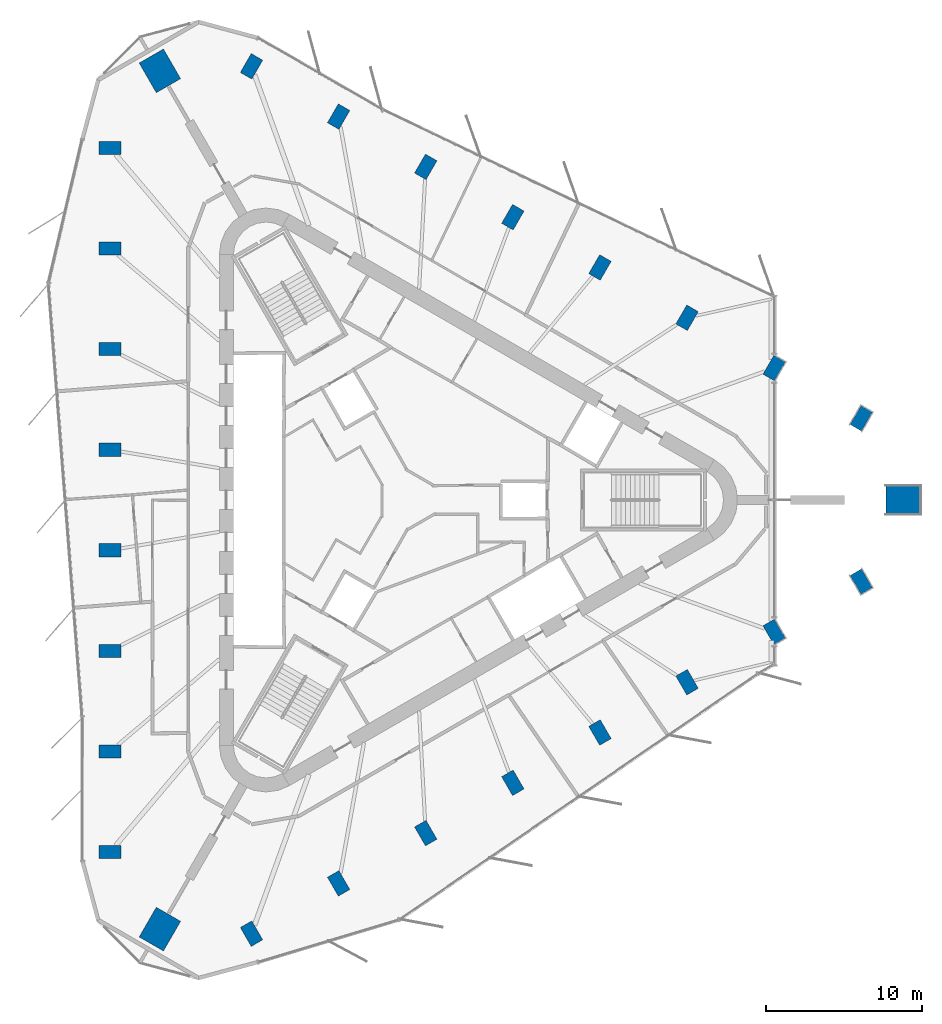
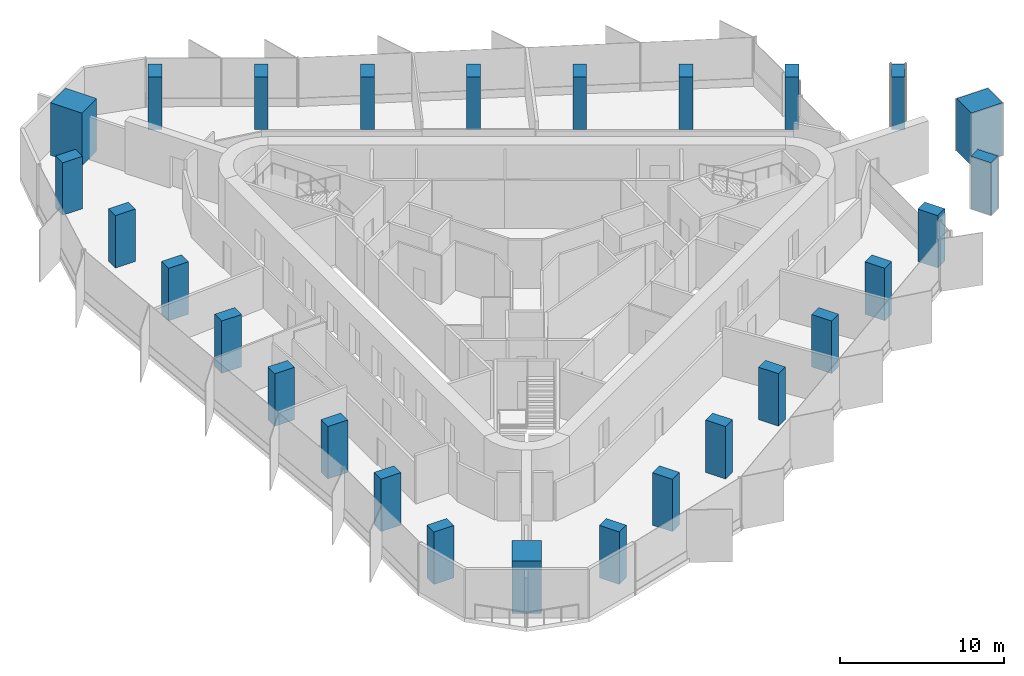
# One storey, part 1 of 12: 27 columns.
"""IFC4 building model written with IfcOpenShell, lengths in metres."""

from ifc_helpers import new_model, si_unit, direction, frame, origin, origin_2d, place, context, subcontext, project, spatial, rectangle, extrude, material, material_profile, profile_set, type_object, element, save


model = new_model("IFC4")

# Units and contexts
model_context = context("Model", 3, precision=1e-05, world=origin(), true_north=direction((0.0, 1.0)))
body_context = subcontext(model_context, "Body", "Model", "MODEL_VIEW")
ifc_project = project(units=[si_unit("LENGTHUNIT", "METRE"), si_unit("AREAUNIT", "SQUARE_METRE"), si_unit("VOLUMEUNIT", "CUBIC_METRE"), si_unit("PLANEANGLEUNIT", "RADIAN"), si_unit("MASSUNIT", "GRAM", prefix="KILO")], contexts=[model_context])

# Site, building, storey
site_placement = place(None, origin())
site = spatial("IfcSite", under=ifc_project, at=site_placement, CompositionType="ELEMENT")
building_placement = place(site_placement, origin())
building = spatial("IfcBuilding", under=site, at=building_placement, Name="Tanit Gate Tower", CompositionType="ELEMENT")
storey_placement = place(building_placement, frame((0.0, 0.0, 376.699951171875)))
storey = spatial("IfcBuildingStorey", under=building, at=storey_placement, Name="L86", CompositionType="ELEMENT", Elevation=376.699951171875)

# Columns
ifc_material_1 = material(Name="Concrete C50/60", Category="concrete")
ifc_material_profile_1 = material_profile(ifc_material_1, rectangle(XDim=2.199951171875, YDim=1.800048828125, at=origin_2d()), Name="RC 2200x1800")
ifc_profile_set_1 = profile_set([ifc_material_profile_1], Name="Concrete C50/60")
column_type_1 = type_object("IfcColumnType", Name="MEGA COLUMN 2200x1800 C50/60", PredefinedType="COLUMN", material=ifc_profile_set_1)
for number, where, z_axis, x_axis, name in (
    (1, (31.843505859375, 0.0, 0.0), (0.0, 0.0, 1.0), (1.0, 0.0, 0.0), "MEGA COLUMN"),
    (2, (-15.921875, 27.577392578125, 0.0), (0.0, 0.0, 1.0), (-0.5, 0.866025403784, 0.0), "MEGA COLUMN"),
    (3, (-15.921875, -27.577392578125, 0.0), (0.0, 0.0, 1.0), (-0.5, -0.866025403784, 0.0), "MEGA COLUMN"),
):
    element("IfcColumn", number, at=place(storey_placement, frame(where, z_axis=z_axis, x_axis=x_axis)), inside=storey, type_object=column_type_1, Name=name, PredefinedType="COLUMN", context=body_context, shape_type="SweptSolid", body=[
        extrude(rectangle(XDim=2.199951171875, YDim=1.800048828125, at=origin_2d()), origin(), (0.0, 0.0, 1.0), 3.900146484375),
    ])
ifc_material_2 = material(Name="Concrete C40/50", Category="concrete")
ifc_material_profile_2 = material_profile(ifc_material_2, rectangle(XDim=1.39990234375, YDim=0.85009765625, at=origin_2d()), Name="RC 1400x850")
ifc_profile_set_2 = profile_set([ifc_material_profile_2], Name="Concrete C40/50")
column_type_2 = type_object("IfcColumnType", Name="PERIMETER COLUMN 1400x850 C40/50", PredefinedType="COLUMN", material=ifc_profile_set_2)
for number, where, z_axis, x_axis, name in (
    (4, (-19.119873046875, 22.62353515625, 0.0), (0.0, 0.0, 1.0), (-1.0, 0.0, 0.0), "PERIMETER COLUMN"),
    (5, (-19.119873046875, 16.15966796875, 0.0), (0.0, 0.0, 1.0), (-1.0, 0.0, 0.0), "PERIMETER COLUMN"),
    (6, (-19.119873046875, 9.69580078125, 0.0), (0.0, 0.0, 1.0), (-1.0, 0.0, 0.0), "PERIMETER COLUMN"),
    (7, (-19.119873046875, 3.23193359375, 0.0), (0.0, 0.0, 1.0), (-1.0, 0.0, 0.0), "PERIMETER COLUMN"),
    (8, (-19.119873046875, -3.23193359375, 0.0), (0.0, 0.0, 1.0), (-1.0, 0.0, 0.0), "PERIMETER COLUMN"),
    (9, (-19.119873046875, -9.69580078125, 0.0), (0.0, 0.0, 1.0), (-1.0, 0.0, 0.0), "PERIMETER COLUMN"),
    (10, (-19.119873046875, -16.15966796875, 0.0), (0.0, 0.0, 1.0), (-1.0, 0.0, 0.0), "PERIMETER COLUMN"),
    (11, (-19.119873046875, -22.62353515625, 0.0), (0.0, 0.0, 1.0), (-1.0, 0.0, 0.0), "PERIMETER COLUMN"),
    (12, (29.152587890625, 5.24658203125, 0.0), (0.0, 0.0, 1.0), (0.5, 0.866025403784, 0.0), "PERIMETER COLUMN"),
    (13, (23.5546875, 8.478515625, 0.0), (0.0, 0.0, 1.0), (0.5, 0.866025403784, 0.0), "PERIMETER COLUMN"),
    (14, (17.956787109375, 11.71044921875, 0.0), (0.0, 0.0, 1.0), (0.5, 0.866025403784, 0.0), "PERIMETER COLUMN"),
    (15, (12.35888671875, 14.9423828125, 0.0), (0.0, 0.0, 1.0), (0.5, 0.866025403784, 0.0), "PERIMETER COLUMN"),
    (16, (6.760986328125, 18.17431640625, 0.0), (0.0, 0.0, 1.0), (0.5, 0.866025403784, 0.0), "PERIMETER COLUMN"),
    (17, (1.1630859375, 21.40625, 0.0), (0.0, 0.0, 1.0), (0.5, 0.866025403784, 0.0), "PERIMETER COLUMN"),
    (18, (-4.434814453125, 24.63818359375, 0.0), (0.0, 0.0, 1.0), (0.5, 0.866025403784, 0.0), "PERIMETER COLUMN"),
    (19, (-10.03271484375, 27.8701171875, 0.0), (0.0, 0.0, 1.0), (0.5, 0.866025403784, 0.0), "PERIMETER COLUMN"),
    (20, (-10.03271484375, -27.8701171875, 0.0), (0.0, 0.0, 1.0), (0.5, -0.866025403784, 0.0), "PERIMETER COLUMN"),
    (21, (-4.434814453125, -24.63818359375, 0.0), (0.0, 0.0, 1.0), (0.5, -0.866025403784, 0.0), "PERIMETER COLUMN"),
    (22, (1.1630859375, -21.40625, 0.0), (0.0, 0.0, 1.0), (0.5, -0.866025403784, 0.0), "PERIMETER COLUMN"),
    (23, (6.760986328125, -18.17431640625, 0.0), (0.0, 0.0, 1.0), (0.5, -0.866025403784, 0.0), "PERIMETER COLUMN"),
    (24, (12.35888671875, -14.9423828125, 0.0), (0.0, 0.0, 1.0), (0.5, -0.866025403784, 0.0), "PERIMETER COLUMN"),
    (25, (17.956787109375, -11.71044921875, 0.0), (0.0, 0.0, 1.0), (0.5, -0.866025403784, 0.0), "PERIMETER COLUMN"),
    (26, (23.5546875, -8.478515625, 0.0), (0.0, 0.0, 1.0), (0.5, -0.866025403784, 0.0), "PERIMETER COLUMN"),
    (27, (29.152587890625, -5.24658203125, 0.0), (0.0, 0.0, 1.0), (0.5, -0.866025403784, 0.0), "PERIMETER COLUMN"),
):
    element("IfcColumn", number, at=place(storey_placement, frame(where, z_axis=z_axis, x_axis=x_axis)), inside=storey, type_object=column_type_2, Name=name, PredefinedType="COLUMN", context=body_context, shape_type="SweptSolid", body=[
        extrude(rectangle(XDim=1.39990234375, YDim=0.85009765625, at=origin_2d()), origin(), (0.0, 0.0, 1.0), 3.900146484375),
    ])

save(model, "model.ifc")
